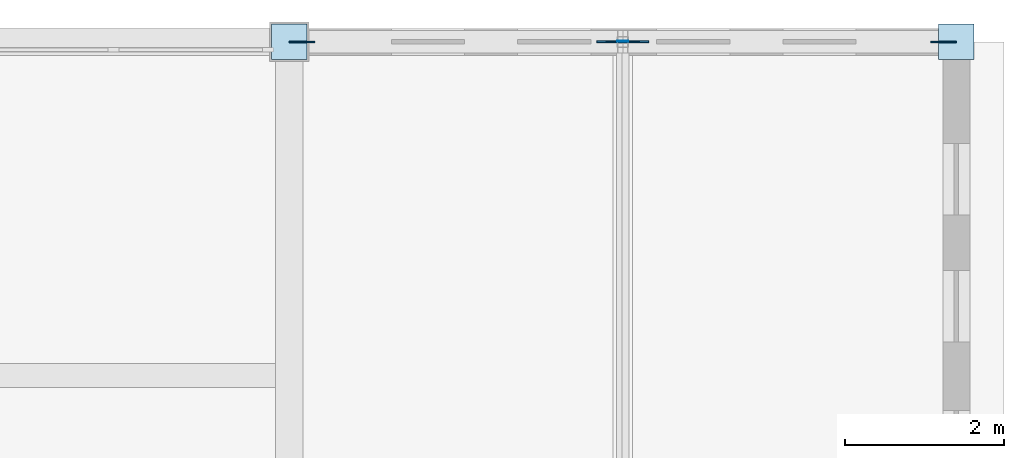
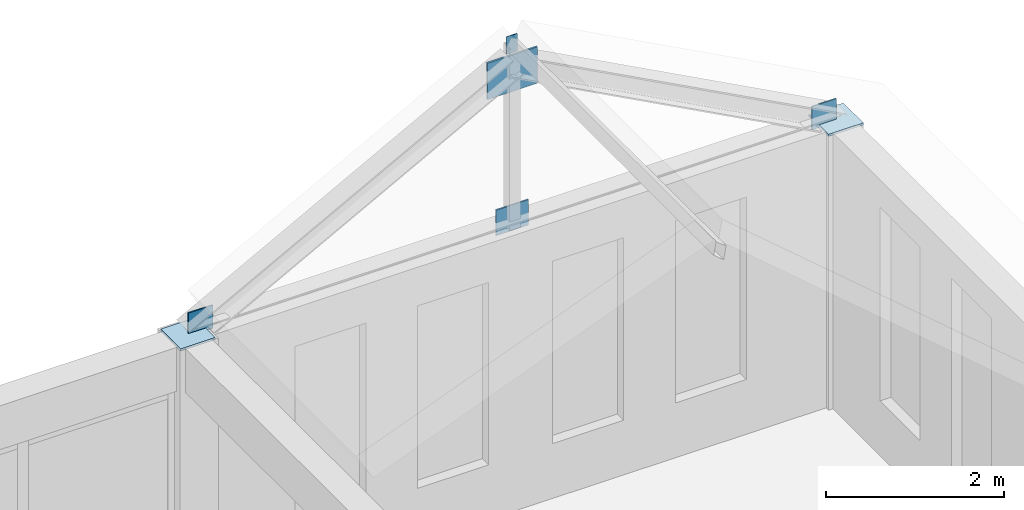
# One storey, part 26 of 36: 7 plates.
"""IFC4 building model written with IfcOpenShell, lengths in metres."""

from ifc_helpers import new_model, si_unit, direction, frame, origin, origin_2d, place, context, subcontext, project, spatial, rectangle, extrude, material, layer, layer_set, type_object, element, save


model = new_model("IFC4")

# Units and contexts
model_context = context("Model", 3, precision=1e-05, world=origin(), true_north=direction((0.0, 1.0)))
body_context = subcontext(model_context, "Body", "Model", "MODEL_VIEW")
ifc_project = project(units=[si_unit("LENGTHUNIT", "METRE"), si_unit("AREAUNIT", "SQUARE_METRE"), si_unit("VOLUMEUNIT", "CUBIC_METRE"), si_unit("PLANEANGLEUNIT", "RADIAN"), si_unit("MASSUNIT", "GRAM", prefix="KILO")], contexts=[model_context])

# Site, building, storey
site_placement = place(None, origin())
site = spatial("IfcSite", under=ifc_project, at=site_placement, CompositionType="ELEMENT")
building_placement = place(site_placement, origin())
building = spatial("IfcBuilding", under=site, at=building_placement, Name="Kveldsbrygga Polytechnic", CompositionType="ELEMENT")
storey_placement = place(building_placement, frame((0.0, 0.0, 22.10009765625)))
storey = spatial("IfcBuildingStorey", under=building, at=storey_placement, Name="L05", CompositionType="ELEMENT", Elevation=22.10009765625)

# Plates
ifc_material = material(Name="Steel S355", Category="steel")
ifc_layer_1 = layer(ifc_material, 0.030029296875)
ifc_layer_set_1 = layer_set([ifc_layer_1], Name="Steel S355")
plate_type_1 = type_object("IfcPlateType", Name="CAP-BEAR-450", PredefinedType="SHEET", material=ifc_layer_set_1)
for number, where, z_axis, x_axis, name in (
    (1, (159.60009765625, 100.800048828125, 3.75), (0.0, 0.0, 1.0), (1.0, 0.0, 0.0), "Truss Bearing Plate V4E6-T11-A"),
    (2, (168.0, 100.800048828125, 3.75), (0.0, 0.0, 1.0), (1.0, 0.0, 0.0), "Truss Bearing Plate V4E6-T11-B"),
):
    element("IfcPlate", number, at=place(storey_placement, frame(where, z_axis=z_axis, x_axis=x_axis)), inside=storey, type_object=plate_type_1, Name=name, PredefinedType="SHEET", context=body_context, shape_type="SweptSolid", body=[
        extrude(rectangle(XDim=0.449951171875, YDim=0.449951171875, at=origin_2d()), origin(), (0.0, 0.0, 1.0), 0.030029296875),
    ])
ifc_layer_2 = layer(ifc_material, 0.011962890625)
ifc_layer_set_2 = layer_set([ifc_layer_2], Name="Steel S355")
plate_type_2 = type_object("IfcPlateType", Name="CAP-PRL-200", PredefinedType="SHEET", material=ifc_layer_set_2)
plate_1_placement = place(storey_placement, frame((163.800048828125, 100.805908203125, 6.15380859375), z_axis=(0.0, 0.0, 1.0), x_axis=(1.0, 0.0, 0.0)))
element("IfcPlate", 3, at=plate_1_placement, inside=storey, type_object=plate_type_2, Name="Purlin End Cap Plate V4E6-EP-B-1", PredefinedType="SHEET", context=body_context, shape_type="SweptSolid", body=[
    extrude(rectangle(XDim=0.139892578125, YDim=0.011962890625, at=origin_2d()), origin(), (0.0, 0.0, 1.0), 0.239990234375),
])
ifc_layer_3 = layer(ifc_material, 0.02490234375)
ifc_layer_set_3 = layer_set([ifc_layer_3], Name="Steel S355")
plate_type_3 = type_object("IfcPlateType", Name="GUS-APEX-650", PredefinedType="SHEET", material=ifc_layer_set_3)
plate_2_placement = place(storey_placement, frame((163.800048828125, 100.800048828125, 5.6298828125), z_axis=(0.0, 0.0, 1.0), x_axis=(1.0, 0.0, 0.0)))
element("IfcPlate", 4, at=plate_2_placement, inside=storey, type_object=plate_type_3, Name="Truss Gusset Plate V4E6-T11-GP-1", PredefinedType="SHEET", context=body_context, shape_type="SweptSolid", body=[
    extrude(rectangle(XDim=0.64990234375, YDim=0.02490234375, at=origin_2d()), origin(), (0.0, 0.0, 1.0), 0.5),
])
ifc_layer_4 = layer(ifc_material, 0.01806640625)
ifc_layer_set_4 = layer_set([ifc_layer_4], Name="Steel S355")
plate_type_4 = type_object("IfcPlateType", Name="GUS-BRACE-320", PredefinedType="SHEET", material=ifc_layer_set_4)
for number, where, z_axis, x_axis, name in (
    (5, (159.760009765625, 100.800048828125, 3.73974609375), (0.0, 0.0, 1.0), (1.0, 0.0, 0.0), "Truss Eaves Node Gusset V4E6-T11-EGP-A"),
    (6, (167.840087890625, 100.800048828125, 3.73974609375), (0.0, 0.0, 1.0), (1.0, 0.0, 0.0), "Truss Eaves Node Gusset V4E6-T11-EGP-B"),
):
    element("IfcPlate", number, at=place(storey_placement, frame(where, z_axis=z_axis, x_axis=x_axis)), inside=storey, type_object=plate_type_4, Name=name, PredefinedType="SHEET", context=body_context, shape_type="SweptSolid", body=[
        extrude(rectangle(XDim=0.320068359375, YDim=0.01806640625, at=origin_2d()), origin(), (0.0, 0.0, 1.0), 0.320068359375),
    ])
ifc_layer_5 = layer(ifc_material, 0.02001953125)
ifc_layer_set_5 = layer_set([ifc_layer_5], Name="Steel S355")
plate_type_5 = type_object("IfcPlateType", Name="GUS-LECT-420", PredefinedType="SHEET", material=ifc_layer_set_5)
plate_3_placement = place(storey_placement, frame((163.800048828125, 100.800048828125, 3.724853515625), z_axis=(0.0, 0.0, 1.0), x_axis=(1.0, 0.0, 0.0)))
element("IfcPlate", 7, at=plate_3_placement, inside=storey, type_object=plate_type_5, Name="Truss Bottom-Chord Node Gusset V4E6-T11-BGP-1", PredefinedType="SHEET", context=body_context, shape_type="SweptSolid", body=[
    extrude(rectangle(XDim=0.419921875, YDim=0.02001953125, at=origin_2d()), origin(), (0.0, 0.0, 1.0), 0.35009765625),
])

save(model, "model.ifc")
